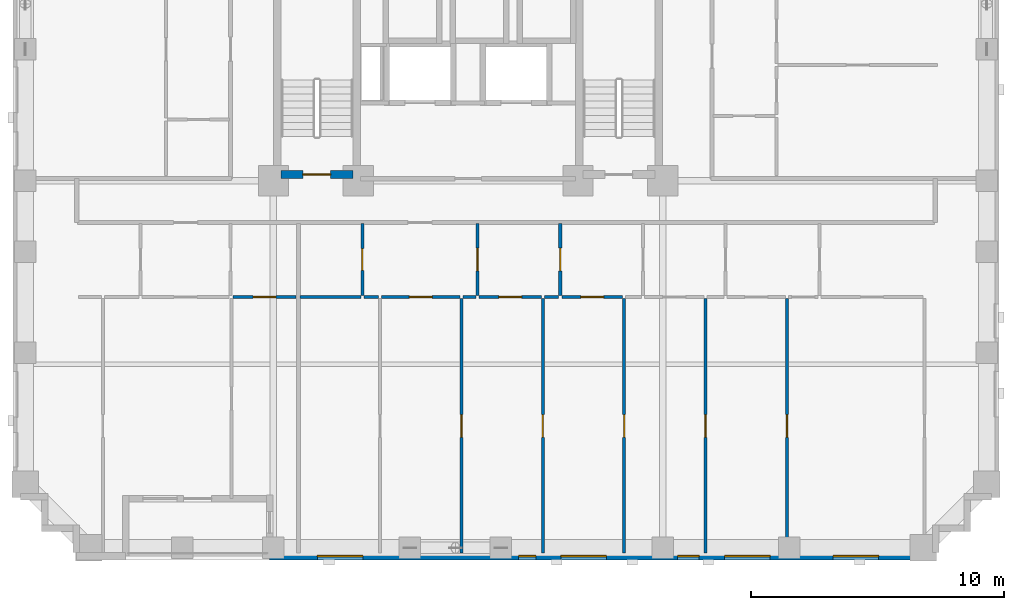
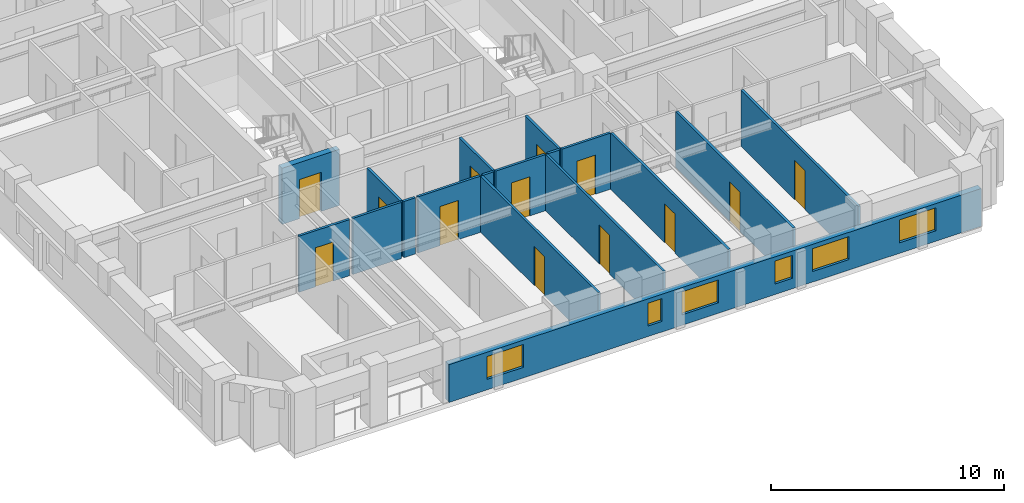
# One storey, part 3 of 14: 18 walls, 13 doors, 6 windows, 19 openings.
"""IFC4 building model written with IfcOpenShell, lengths in metres."""

from ifc_helpers import new_model, si_unit, derived_unit, direction, frame, frame_2d, origin, place, context, subcontext, project, spatial, rectangle, extrude, material, layer, layer_set, type_object, element, fill, save


model = new_model("IFC4")

# Units and contexts
model_context = context("Model", 3, precision=1e-05, world=origin(), true_north=direction((0.0, 1.0)))
body_context = subcontext(model_context, "Body", "Model", "MODEL_VIEW")
ifc_project = project(units=[si_unit("LENGTHUNIT", "METRE"), si_unit("AREAUNIT", "SQUARE_METRE"), si_unit("VOLUMEUNIT", "CUBIC_METRE"), si_unit("PLANEANGLEUNIT", "RADIAN"), si_unit("MASSUNIT", "GRAM", prefix="KILO"), derived_unit("THERMALTRANSMITTANCEUNIT", [(si_unit("MASSUNIT", "GRAM", prefix="KILO"), 1), (si_unit("TIMEUNIT", "SECOND"), -3), (si_unit("THERMODYNAMICTEMPERATUREUNIT", "KELVIN"), -1)])], contexts=[model_context])

# Site, building, storey
site_placement = place(None, origin())
site = spatial("IfcSite", under=ifc_project, at=site_placement, CompositionType="ELEMENT")
building_placement = place(site_placement, origin())
building = spatial("IfcBuilding", under=site, at=building_placement, Name="Korrvale Station Residences", CompositionType="ELEMENT")
storey_placement = place(building_placement, frame((0.0, 0.0, 61.0)))
storey = spatial("IfcBuildingStorey", under=building, at=storey_placement, Name="L16", CompositionType="ELEMENT", Elevation=61.0)

# Wall, opening, door
ifc_material_1 = material(Name="Concrete C70/85", Category="concrete")
ifc_layer_1 = layer(ifc_material_1, 0.300048828125, Name="Concrete C70/85")
ifc_layer_set_1 = layer_set([ifc_layer_1], Name="Concrete C70/85")
wall_type_1 = type_object("IfcWallType", Name="WAL-CORE-300-C70", PredefinedType="SHEAR", material=ifc_layer_set_1)
wall_1_placement = place(storey_placement, frame((18.10009765625, 15.25, 0.0), z_axis=(0.0, 0.0, 1.0), x_axis=(1.0, 0.0, 0.0)))
wall_1 = element("IfcWall", 1, at=wall_1_placement, inside=storey, type_object=wall_type_1, Name="L16 ST-1 Core Shear Wall South", PredefinedType="SHEAR", context=body_context, shape_type="SweptSolid", body=[
    extrude(rectangle(XDim=2.849853515625, YDim=0.300048828125, at=frame_2d((1.4248046875, 0.0))), origin(), (0.0, 0.0, 1.0), 2.93994140625),
])
opening_1_placement = place(wall_1_placement, frame((0.860107421875, 0.0, 0.0)))
opening_1 = element("IfcOpeningElement", 2, at=opening_1_placement, cuts=wall_1, Name="Opening SD-1100", PredefinedType="OPENING", context=body_context, shape_type="SweptSolid", body=[
    extrude(rectangle(XDim=1.10009765625, YDim=2.050048828125, at=frame_2d((0.550048828125, 1.02490234375))), frame((0.0, 0.16015625, 0.0), z_axis=(0.0, -1.0, 0.0), x_axis=(1.0, 0.0, 0.0)), (0.0, 0.0, 1.0), 0.320068359375),
])
ifc_material_2 = material(Name="Hollow-metal fire-rated stair door with closer", Category="steel")
door_type_1 = type_object("IfcDoorType", Name="DR-STAIR-1100", OperationType="NOTDEFINED", PredefinedType="DOOR", material=ifc_material_2)
door_1_placement = place(opening_1_placement, origin())
door_1 = element("IfcDoor", 3, at=door_1_placement, inside=storey, type_object=door_type_1, Name="L16 ST-1 Exit Stair Door", OperationType="SINGLE_SWING_LEFT", OverallHeight=2.050048828125, OverallWidth=1.10009765625, PredefinedType="DOOR", context=body_context, shape_type="SweptSolid", body=[
    extrude(rectangle(XDim=1.10009765625, YDim=2.050048828125, at=frame_2d((0.550048828125, 1.02490234375))), frame((0.0, 0.02490234375, 0.0), z_axis=(0.0, -1.0, 0.0), x_axis=(1.0, 0.0, 0.0)), (0.0, 0.0, 1.0), 0.050048828125),
])
fill(opening_1, door_1)

# Wall, openings, windows
ifc_material_3 = material(Name="Precast concrete C45/55", Category="concrete")
ifc_layer_2 = layer(ifc_material_3, 0.300048828125, Name="Precast concrete C45/55")
ifc_layer_set_2 = layer_set([ifc_layer_2], Name="Precast concrete C45/55")
wall_type_2 = type_object("IfcWallType", Name="WAL-EXT-PC300", PredefinedType="SOLIDWALL", material=ifc_layer_set_2)
wall_2_placement = place(storey_placement, frame((44.0, 0.14990234375, 0.0), z_axis=(0.0, 0.0, 1.0), x_axis=(-1.0, 0.0, 0.0)))
wall_2 = element("IfcWall", 4, at=wall_2_placement, inside=storey, type_object=wall_type_2, Name="L16 South Exterior Precast Wall 1", PredefinedType="SOLIDWALL", context=body_context, shape_type="SweptSolid", body=[
    extrude(rectangle(XDim=26.35009765625, YDim=0.300048828125, at=frame_2d((13.175048828125, 0.0))), origin(), (0.0, 0.0, 1.0), 1.97509765625),
])
opening_2_placement = place(wall_2_placement, frame((22.6650390625, 0.0, 0.550048828125)))
opening_2 = element("IfcOpeningElement", 5, at=opening_2_placement, cuts=wall_2, Name="Opening W-09", PredefinedType="OPENING", context=body_context, shape_type="SweptSolid", body=[
    extrude(rectangle(XDim=1.800048828125, YDim=1.199951171875, at=frame_2d((0.89990234375, 0.60009765625))), frame((0.0, 0.16015625, 0.0), z_axis=(0.0, -1.0, 0.0), x_axis=(1.0, 0.0, 0.0)), (0.0, 0.0, 1.0), 0.320068359375),
])
opening_3_placement = place(wall_2_placement, frame((15.820068359375, 0.0, 0.550048828125)))
opening_3 = element("IfcOpeningElement", 6, at=opening_3_placement, cuts=wall_2, Name="Opening W-12", PredefinedType="OPENING", context=body_context, shape_type="SweptSolid", body=[
    extrude(rectangle(XDim=0.679931640625, YDim=1.199951171875, at=frame_2d((0.33984375, 0.60009765625))), frame((0.0, 0.16015625, 0.0), z_axis=(0.0, -1.0, 0.0), x_axis=(1.0, 0.0, 0.0)), (0.0, 0.0, 1.0), 0.320068359375),
])
opening_4_placement = place(wall_2_placement, frame((13.027099609375, 0.0, 0.550048828125)))
opening_4 = element("IfcOpeningElement", 7, at=opening_4_placement, cuts=wall_2, Name="Opening W-09", PredefinedType="OPENING", context=body_context, shape_type="SweptSolid", body=[
    extrude(rectangle(XDim=1.800048828125, YDim=1.199951171875, at=frame_2d((0.89990234375, 0.60009765625))), frame((0.0, 0.16015625, 0.0), z_axis=(0.0, -1.0, 0.0), x_axis=(1.0, 0.0, 0.0)), (0.0, 0.0, 1.0), 0.320068359375),
])
opening_5_placement = place(wall_2_placement, frame((9.364990234375, 0.0, 0.550048828125)))
opening_5 = element("IfcOpeningElement", 8, at=opening_5_placement, cuts=wall_2, Name="Opening W-11", PredefinedType="OPENING", context=body_context, shape_type="SweptSolid", body=[
    extrude(rectangle(XDim=0.85009765625, YDim=1.199951171875, at=frame_2d((0.425048828125, 0.60009765625))), frame((0.0, 0.16015625, 0.0), z_axis=(0.0, -1.0, 0.0), x_axis=(1.0, 0.0, 0.0)), (0.0, 0.0, 1.0), 0.320068359375),
])
opening_6_placement = place(wall_2_placement, frame((6.552978515625, 0.0, 0.550048828125)))
opening_6 = element("IfcOpeningElement", 9, at=opening_6_placement, cuts=wall_2, Name="Opening W-09", PredefinedType="OPENING", context=body_context, shape_type="SweptSolid", body=[
    extrude(rectangle(XDim=1.800048828125, YDim=1.199951171875, at=frame_2d((0.89990234375, 0.60009765625))), frame((0.0, 0.16015625, 0.0), z_axis=(0.0, -1.0, 0.0), x_axis=(1.0, 0.0, 0.0)), (0.0, 0.0, 1.0), 0.320068359375),
])
opening_7_placement = place(wall_2_placement, frame((2.261962890625, 0.0, 0.550048828125)))
opening_7 = element("IfcOpeningElement", 10, at=opening_7_placement, cuts=wall_2, Name="Opening W-09", PredefinedType="OPENING", context=body_context, shape_type="SweptSolid", body=[
    extrude(rectangle(XDim=1.800048828125, YDim=1.199951171875, at=frame_2d((0.89990234375, 0.60009765625))), frame((0.0, 0.16015625, 0.0), z_axis=(0.0, -1.0, 0.0), x_axis=(1.0, 0.0, 0.0)), (0.0, 0.0, 1.0), 0.320068359375),
])
ifc_material_4 = material(Name="Thermally broken aluminium frame with triple low-e glazing", Category="aluminium")
window_type_1 = type_object("IfcWindowType", Name="WIN-W09", PartitioningType="DOUBLE_PANEL_VERTICAL", PredefinedType="WINDOW", material=ifc_material_4)
window_1_placement = place(opening_2_placement, origin())
window_1 = element("IfcWindow", 11, at=window_1_placement, inside=storey, type_object=window_type_1, Name="L16 Punched Window 05", OverallHeight=1.199951171875, OverallWidth=1.800048828125, PartitioningType="DOUBLE_PANEL_VERTICAL", PredefinedType="WINDOW", context=body_context, shape_type="SweptSolid", body=[
    extrude(rectangle(XDim=1.800048828125, YDim=1.199951171875, at=frame_2d((0.89990234375, 0.60009765625))), frame((0.0, 0.030029296875, 0.0), z_axis=(0.0, -1.0, 0.0), x_axis=(1.0, 0.0, 0.0)), (0.0, 0.0, 1.0), 0.06005859375),
])
fill(opening_2, window_1)
window_2_placement = place(opening_4_placement, origin())
window_2 = element("IfcWindow", 12, at=window_2_placement, inside=storey, type_object=window_type_1, Name="L16 Punched Window 07", OverallHeight=1.199951171875, OverallWidth=1.800048828125, PartitioningType="DOUBLE_PANEL_VERTICAL", PredefinedType="WINDOW", context=body_context, shape_type="SweptSolid", body=[
    extrude(rectangle(XDim=1.800048828125, YDim=1.199951171875, at=frame_2d((0.89990234375, 0.60009765625))), frame((0.0, 0.030029296875, 0.0), z_axis=(0.0, -1.0, 0.0), x_axis=(1.0, 0.0, 0.0)), (0.0, 0.0, 1.0), 0.06005859375),
])
fill(opening_4, window_2)
window_3_placement = place(opening_6_placement, origin())
window_3 = element("IfcWindow", 13, at=window_3_placement, inside=storey, type_object=window_type_1, Name="L16 Punched Window 09", OverallHeight=1.199951171875, OverallWidth=1.800048828125, PartitioningType="DOUBLE_PANEL_VERTICAL", PredefinedType="WINDOW", context=body_context, shape_type="SweptSolid", body=[
    extrude(rectangle(XDim=1.800048828125, YDim=1.199951171875, at=frame_2d((0.89990234375, 0.60009765625))), frame((0.0, 0.030029296875, 0.0), z_axis=(0.0, -1.0, 0.0), x_axis=(1.0, 0.0, 0.0)), (0.0, 0.0, 1.0), 0.06005859375),
])
fill(opening_6, window_3)
window_4_placement = place(opening_7_placement, origin())
window_4 = element("IfcWindow", 14, at=window_4_placement, inside=storey, type_object=window_type_1, Name="L16 Punched Window 10", OverallHeight=1.199951171875, OverallWidth=1.800048828125, PartitioningType="DOUBLE_PANEL_VERTICAL", PredefinedType="WINDOW", context=body_context, shape_type="SweptSolid", body=[
    extrude(rectangle(XDim=1.800048828125, YDim=1.199951171875, at=frame_2d((0.89990234375, 0.60009765625))), frame((0.0, 0.030029296875, 0.0), z_axis=(0.0, -1.0, 0.0), x_axis=(1.0, 0.0, 0.0)), (0.0, 0.0, 1.0), 0.06005859375),
])
fill(opening_7, window_4)
window_type_2 = type_object("IfcWindowType", Name="WIN-W11", PartitioningType="SINGLE_PANEL", PredefinedType="WINDOW", material=ifc_material_4)
window_5_placement = place(opening_5_placement, origin())
window_5 = element("IfcWindow", 15, at=window_5_placement, inside=storey, type_object=window_type_2, Name="L16 Punched Window 08", OverallHeight=1.199951171875, OverallWidth=0.85009765625, PartitioningType="SINGLE_PANEL", PredefinedType="WINDOW", context=body_context, shape_type="SweptSolid", body=[
    extrude(rectangle(XDim=0.85009765625, YDim=1.199951171875, at=frame_2d((0.425048828125, 0.60009765625))), frame((0.0, 0.030029296875, 0.0), z_axis=(0.0, -1.0, 0.0), x_axis=(1.0, 0.0, 0.0)), (0.0, 0.0, 1.0), 0.06005859375),
])
fill(opening_5, window_5)
window_type_3 = type_object("IfcWindowType", Name="WIN-W12", PartitioningType="SINGLE_PANEL", PredefinedType="WINDOW", material=ifc_material_4)
window_6_placement = place(opening_3_placement, origin())
window_6 = element("IfcWindow", 16, at=window_6_placement, inside=storey, type_object=window_type_3, Name="L16 Punched Window 06", OverallHeight=1.199951171875, OverallWidth=0.679931640625, PartitioningType="SINGLE_PANEL", PredefinedType="WINDOW", context=body_context, shape_type="SweptSolid", body=[
    extrude(rectangle(XDim=0.679931640625, YDim=1.199951171875, at=frame_2d((0.33984375, 0.60009765625))), frame((0.0, 0.030029296875, 0.0), z_axis=(0.0, -1.0, 0.0), x_axis=(1.0, 0.0, 0.0)), (0.0, 0.0, 1.0), 0.06005859375),
])
fill(opening_3, window_6)

# Wall, opening, door
ifc_material_5 = material(Name="Acoustic steel-stud gypsum board partition", Category="steel")
ifc_layer_3 = layer(ifc_material_5, 0.1201171875, Name="Acoustic steel-stud gypsum board partition")
ifc_layer_set_3 = layer_set([ifc_layer_3], Name="Acoustic steel-stud gypsum board partition")
wall_type_3 = type_object("IfcWallType", Name="WAL-PART-125", PredefinedType="PARTITIONING", material=ifc_layer_set_3)
wall_3_placement = place(storey_placement, frame((16.196044921875, 10.39990234375, 0.0), z_axis=(0.0, 0.0, 1.0), x_axis=(1.0, 0.0, 0.0)))
wall_3 = element("IfcWall", 17, at=wall_3_placement, inside=storey, type_object=wall_type_3, Name="L16 Suite Partition U01-H25", PredefinedType="PARTITIONING", context=body_context, shape_type="SweptSolid", body=[
    extrude(rectangle(XDim=2.5, YDim=0.1201171875, at=frame_2d((1.25, 0.0))), origin(), (0.0, 0.0, 1.0), 2.93994140625),
])
opening_8_placement = place(wall_3_placement, frame((0.800048828125, 0.0, 0.0)))
opening_8 = element("IfcOpeningElement", 18, at=opening_8_placement, cuts=wall_3, Name="Opening DI-900", PredefinedType="OPENING", context=body_context, shape_type="SweptSolid", body=[
    extrude(rectangle(XDim=0.89990234375, YDim=2.050048828125, at=frame_2d((0.449951171875, 1.02490234375))), frame((0.0, 0.070068359375, 0.0), z_axis=(0.0, -1.0, 0.0), x_axis=(1.0, 0.0, 0.0)), (0.0, 0.0, 1.0), 0.14013671875),
])
ifc_material_6 = material(Name="Painted solid-core timber interior room door", Category="wood")
door_type_2 = type_object("IfcDoorType", Name="DR-INT-900", OperationType="NOTDEFINED", PredefinedType="DOOR", material=ifc_material_6)
door_2_placement = place(opening_8_placement, origin())
door_2 = element("IfcDoor", 19, at=door_2_placement, inside=storey, type_object=door_type_2, Name="L16 Studio Apartment L16-U01 Utility and Laundry Room Door", OperationType="SINGLE_SWING_RIGHT", OverallHeight=2.050048828125, OverallWidth=0.89990234375, PredefinedType="DOOR", context=body_context, shape_type="SweptSolid", body=[
    extrude(rectangle(XDim=0.89990234375, YDim=2.050048828125, at=frame_2d((0.449951171875, 1.02490234375))), frame((0.0, 0.02490234375, 0.0), z_axis=(0.0, -1.0, 0.0), x_axis=(1.0, 0.0, 0.0)), (0.0, 0.0, 1.0), 0.050048828125),
])
fill(opening_8, door_2)

wall_4_placement = place(storey_placement, frame((21.31591796875, 10.4599609375, 0.0), z_axis=(0.0, 0.0, 1.0), x_axis=(0.0, 1.0, 0.0)))
wall_4 = element("IfcWall", 20, at=wall_4_placement, inside=storey, type_object=wall_type_3, Name="L16 Suite Partition U02-V01", PredefinedType="PARTITIONING", context=body_context, shape_type="SweptSolid", body=[
    extrude(rectangle(XDim=2.85009765625, YDim=0.1201171875, at=frame_2d((1.425048828125, 0.0))), origin(), (0.0, 0.0, 1.0), 2.93994140625),
])
opening_9_placement = place(wall_4_placement, frame((0.9951171875, 0.0, 0.0)))
opening_9 = element("IfcOpeningElement", 21, at=opening_9_placement, cuts=wall_4, Name="Opening DB-860", PredefinedType="OPENING", context=body_context, shape_type="SweptSolid", body=[
    extrude(rectangle(XDim=0.860107421875, YDim=2.050048828125, at=frame_2d((0.43017578125, 1.02490234375))), frame((0.0, 0.070068359375, 0.0), z_axis=(0.0, -1.0, 0.0), x_axis=(1.0, 0.0, 0.0)), (0.0, 0.0, 1.0), 0.14013671875),
])
ifc_material_7 = material(Name="Moisture-resistant solid-core bathroom door", Category="timber")
door_type_3 = type_object("IfcDoorType", Name="DR-BATH-860", OperationType="NOTDEFINED", PredefinedType="DOOR", material=ifc_material_7)
door_3_placement = place(opening_9_placement, origin())
door_3 = element("IfcDoor", 22, at=door_3_placement, inside=storey, type_object=door_type_3, Name="L16 Studio Apartment L16-U02 Bathroom Door", OperationType="SINGLE_SWING_LEFT", OverallHeight=2.050048828125, OverallWidth=0.860107421875, PredefinedType="DOOR", context=body_context, shape_type="SweptSolid", body=[
    extrude(rectangle(XDim=0.860107421875, YDim=2.050048828125, at=frame_2d((0.43017578125, 1.02490234375))), frame((0.0, 0.02490234375, 0.0), z_axis=(0.0, -1.0, 0.0), x_axis=(1.0, 0.0, 0.0)), (0.0, 0.0, 1.0), 0.050048828125),
])
fill(opening_9, door_3)

# Wall
wall_5_placement = place(storey_placement, frame((18.85595703125, 10.39990234375, 0.0), z_axis=(0.0, 0.0, 1.0), x_axis=(1.0, 0.0, 0.0)))
element("IfcWall", 23, at=wall_5_placement, inside=storey, type_object=wall_type_3, Name="L16 Suite Partition U02-H07", PredefinedType="PARTITIONING", context=body_context, shape_type="SweptSolid", body=[
    extrude(rectangle(XDim=2.400146484375, YDim=0.1201171875, at=frame_2d((1.2001953125, 0.0))), origin(), (0.0, 0.0, 1.0), 2.93994140625),
])

# Wall, opening, door
wall_6_placement = place(storey_placement, frame((25.8759765625, 10.4599609375, 0.0), z_axis=(0.0, 0.0, 1.0), x_axis=(0.0, 1.0, 0.0)))
wall_6 = element("IfcWall", 24, at=wall_6_placement, inside=storey, type_object=wall_type_3, Name="L16 Suite Partition U02-V12", PredefinedType="PARTITIONING", context=body_context, shape_type="SweptSolid", body=[
    extrude(rectangle(XDim=2.85009765625, YDim=0.1201171875, at=frame_2d((1.425048828125, 0.0))), origin(), (0.0, 0.0, 1.0), 2.93994140625),
])
opening_10_placement = place(wall_6_placement, frame((0.97509765625, 0.0, 0.0)))
opening_10 = element("IfcOpeningElement", 25, at=opening_10_placement, cuts=wall_6, Name="Opening DI-900", PredefinedType="OPENING", context=body_context, shape_type="SweptSolid", body=[
    extrude(rectangle(XDim=0.89990234375, YDim=2.050048828125, at=frame_2d((0.449951171875, 1.02490234375))), frame((0.0, 0.070068359375, 0.0), z_axis=(0.0, -1.0, 0.0), x_axis=(1.0, 0.0, 0.0)), (0.0, 0.0, 1.0), 0.14013671875),
])
door_4_placement = place(opening_10_placement, origin())
door_4 = element("IfcDoor", 26, at=door_4_placement, inside=storey, type_object=door_type_2, Name="L16 Studio Apartment L16-U02 Kitchen Door", OperationType="SINGLE_SWING_RIGHT", OverallHeight=2.050048828125, OverallWidth=0.89990234375, PredefinedType="DOOR", context=body_context, shape_type="SweptSolid", body=[
    extrude(rectangle(XDim=0.89990234375, YDim=2.050048828125, at=frame_2d((0.449951171875, 1.02490234375))), frame((0.0, 0.02490234375, 0.0), z_axis=(0.0, -1.0, 0.0), x_axis=(1.0, 0.0, 0.0)), (0.0, 0.0, 1.0), 0.050048828125),
])
fill(opening_10, door_4)

# Wall
wall_7_placement = place(storey_placement, frame((21.3759765625, 10.39990234375, 0.0), z_axis=(0.0, 0.0, 1.0), x_axis=(1.0, 0.0, 0.0)))
element("IfcWall", 27, at=wall_7_placement, inside=storey, type_object=wall_type_3, Name="L16 Suite Partition U02-H17", PredefinedType="PARTITIONING", context=body_context, shape_type="SweptSolid", body=[
    extrude(rectangle(XDim=0.580078125, YDim=0.1201171875, at=frame_2d((0.2900390625, 0.0))), origin(), (0.0, 0.0, 1.0), 2.93994140625),
])

# Wall, opening, door
wall_8_placement = place(storey_placement, frame((22.075927734375, 10.39990234375, 0.0), z_axis=(0.0, 0.0, 1.0), x_axis=(1.0, 0.0, 0.0)))
wall_8 = element("IfcWall", 28, at=wall_8_placement, inside=storey, type_object=wall_type_3, Name="L16 Suite Partition U02-H18", PredefinedType="PARTITIONING", context=body_context, shape_type="SweptSolid", body=[
    extrude(rectangle(XDim=3.10009765625, YDim=0.1201171875, at=frame_2d((1.550048828125, 0.0))), origin(), (0.0, 0.0, 1.0), 2.93994140625),
])
opening_11_placement = place(wall_8_placement, frame((1.10009765625, 0.0, 0.0)))
opening_11 = element("IfcOpeningElement", 29, at=opening_11_placement, cuts=wall_8, Name="Opening DI-900", PredefinedType="OPENING", context=body_context, shape_type="SweptSolid", body=[
    extrude(rectangle(XDim=0.89990234375, YDim=2.050048828125, at=frame_2d((0.449951171875, 1.02490234375))), frame((0.0, 0.070068359375, 0.0), z_axis=(0.0, -1.0, 0.0), x_axis=(1.0, 0.0, 0.0)), (0.0, 0.0, 1.0), 0.14013671875),
])
door_5_placement = place(opening_11_placement, origin())
door_5 = element("IfcDoor", 30, at=door_5_placement, inside=storey, type_object=door_type_2, Name="L16 Studio Apartment L16-U02 Kitchen Door", OperationType="SINGLE_SWING_LEFT", OverallHeight=2.050048828125, OverallWidth=0.89990234375, PredefinedType="DOOR", context=body_context, shape_type="SweptSolid", body=[
    extrude(rectangle(XDim=0.89990234375, YDim=2.050048828125, at=frame_2d((0.449951171875, 1.02490234375))), frame((0.0, 0.02490234375, 0.0), z_axis=(0.0, -1.0, 0.0), x_axis=(1.0, 0.0, 0.0)), (0.0, 0.0, 1.0), 0.050048828125),
])
fill(opening_11, door_5)

# Wall
wall_9_placement = place(storey_placement, frame((25.2958984375, 10.39990234375, 0.0), z_axis=(0.0, 0.0, 1.0), x_axis=(1.0, 0.0, 0.0)))
element("IfcWall", 31, at=wall_9_placement, inside=storey, type_object=wall_type_3, Name="L16 Suite Partition U02-H19", PredefinedType="PARTITIONING", context=body_context, shape_type="SweptSolid", body=[
    extrude(rectangle(XDim=0.52001953125, YDim=0.1201171875, at=frame_2d((0.260009765625, 0.0))), origin(), (0.0, 0.0, 1.0), 2.93994140625),
])

# Wall, opening, door
wall_10_placement = place(storey_placement, frame((29.14599609375, 10.4599609375, 0.0), z_axis=(0.0, 0.0, 1.0), x_axis=(0.0, 1.0, 0.0)))
wall_10 = element("IfcWall", 32, at=wall_10_placement, inside=storey, type_object=wall_type_3, Name="L16 Suite Partition U02-V23", PredefinedType="PARTITIONING", context=body_context, shape_type="SweptSolid", body=[
    extrude(rectangle(XDim=2.85009765625, YDim=0.1201171875, at=frame_2d((1.425048828125, 0.0))), origin(), (0.0, 0.0, 1.0), 2.93994140625),
])
opening_12_placement = place(wall_10_placement, frame((0.97509765625, 0.0, 0.0)))
opening_12 = element("IfcOpeningElement", 33, at=opening_12_placement, cuts=wall_10, Name="Opening DI-900", PredefinedType="OPENING", context=body_context, shape_type="SweptSolid", body=[
    extrude(rectangle(XDim=0.89990234375, YDim=2.050048828125, at=frame_2d((0.449951171875, 1.02490234375))), frame((0.0, 0.070068359375, 0.0), z_axis=(0.0, -1.0, 0.0), x_axis=(1.0, 0.0, 0.0)), (0.0, 0.0, 1.0), 0.14013671875),
])
door_6_placement = place(opening_12_placement, origin())
door_6 = element("IfcDoor", 34, at=door_6_placement, inside=storey, type_object=door_type_2, Name="L16 Studio Apartment L16-U02 Home Study Room Door", OperationType="SINGLE_SWING_RIGHT", OverallHeight=2.050048828125, OverallWidth=0.89990234375, PredefinedType="DOOR", context=body_context, shape_type="SweptSolid", body=[
    extrude(rectangle(XDim=0.89990234375, YDim=2.050048828125, at=frame_2d((0.449951171875, 1.02490234375))), frame((0.0, 0.02490234375, 0.0), z_axis=(0.0, -1.0, 0.0), x_axis=(1.0, 0.0, 0.0)), (0.0, 0.0, 1.0), 0.050048828125),
])
fill(opening_12, door_6)

wall_11_placement = place(storey_placement, frame((25.93603515625, 10.39990234375, 0.0), z_axis=(0.0, 0.0, 1.0), x_axis=(1.0, 0.0, 0.0)))
wall_11 = element("IfcWall", 35, at=wall_11_placement, inside=storey, type_object=wall_type_3, Name="L16 Suite Partition U02-H29", PredefinedType="PARTITIONING", context=body_context, shape_type="SweptSolid", body=[
    extrude(rectangle(XDim=2.4599609375, YDim=0.1201171875, at=frame_2d((1.22998046875, 0.0))), origin(), (0.0, 0.0, 1.0), 2.93994140625),
])
opening_13_placement = place(wall_11_placement, frame((0.780029296875, 0.0, 0.0)))
opening_13 = element("IfcOpeningElement", 36, at=opening_13_placement, cuts=wall_11, Name="Opening DI-900", PredefinedType="OPENING", context=body_context, shape_type="SweptSolid", body=[
    extrude(rectangle(XDim=0.89990234375, YDim=2.050048828125, at=frame_2d((0.449951171875, 1.02490234375))), frame((0.0, 0.070068359375, 0.0), z_axis=(0.0, -1.0, 0.0), x_axis=(1.0, 0.0, 0.0)), (0.0, 0.0, 1.0), 0.14013671875),
])
door_7_placement = place(opening_13_placement, origin())
door_7 = element("IfcDoor", 37, at=door_7_placement, inside=storey, type_object=door_type_2, Name="L16 Studio Apartment L16-U02 Home Study Room Door", OperationType="SINGLE_SWING_LEFT", OverallHeight=2.050048828125, OverallWidth=0.89990234375, PredefinedType="DOOR", context=body_context, shape_type="SweptSolid", body=[
    extrude(rectangle(XDim=0.89990234375, YDim=2.050048828125, at=frame_2d((0.449951171875, 1.02490234375))), frame((0.0, 0.02490234375, 0.0), z_axis=(0.0, -1.0, 0.0), x_axis=(1.0, 0.0, 0.0)), (0.0, 0.0, 1.0), 0.050048828125),
])
fill(opening_13, door_7)

# Wall
wall_12_placement = place(storey_placement, frame((28.51611328125, 10.39990234375, 0.0), z_axis=(0.0, 0.0, 1.0), x_axis=(1.0, 0.0, 0.0)))
element("IfcWall", 38, at=wall_12_placement, inside=storey, type_object=wall_type_3, Name="L16 Suite Partition U02-H210", PredefinedType="PARTITIONING", context=body_context, shape_type="SweptSolid", body=[
    extrude(rectangle(XDim=0.56982421875, YDim=0.1201171875, at=frame_2d((0.284912109375, 0.0))), origin(), (0.0, 0.0, 1.0), 2.93994140625),
])

# Wall, opening, door
wall_13_placement = place(storey_placement, frame((29.2060546875, 10.39990234375, 0.0), z_axis=(0.0, 0.0, 1.0), x_axis=(1.0, 0.0, 0.0)))
wall_13 = element("IfcWall", 39, at=wall_13_placement, inside=storey, type_object=wall_type_3, Name="L16 Suite Partition U02-H310", PredefinedType="PARTITIONING", context=body_context, shape_type="SweptSolid", body=[
    extrude(rectangle(XDim=2.409912109375, YDim=0.1201171875, at=frame_2d((1.205078125, 0.0))), origin(), (0.0, 0.0, 1.0), 2.93994140625),
])
opening_14_placement = place(wall_13_placement, frame((0.7548828125, 0.0, 0.0)))
opening_14 = element("IfcOpeningElement", 40, at=opening_14_placement, cuts=wall_13, Name="Opening DI-900", PredefinedType="OPENING", context=body_context, shape_type="SweptSolid", body=[
    extrude(rectangle(XDim=0.89990234375, YDim=2.050048828125, at=frame_2d((0.449951171875, 1.02490234375))), frame((0.0, 0.070068359375, 0.0), z_axis=(0.0, -1.0, 0.0), x_axis=(1.0, 0.0, 0.0)), (0.0, 0.0, 1.0), 0.14013671875),
])
door_8_placement = place(opening_14_placement, origin())
door_8 = element("IfcDoor", 41, at=door_8_placement, inside=storey, type_object=door_type_2, Name="L16 Studio Apartment L16-U02 Home Study Room Door", OperationType="SINGLE_SWING_LEFT", OverallHeight=2.050048828125, OverallWidth=0.89990234375, PredefinedType="DOOR", context=body_context, shape_type="SweptSolid", body=[
    extrude(rectangle(XDim=0.89990234375, YDim=2.050048828125, at=frame_2d((0.449951171875, 1.02490234375))), frame((0.0, 0.02490234375, 0.0), z_axis=(0.0, -1.0, 0.0), x_axis=(1.0, 0.0, 0.0)), (0.0, 0.0, 1.0), 0.050048828125),
])
fill(opening_14, door_8)

wall_14_placement = place(storey_placement, frame((25.236083984375, 0.280029296875, 0.0), z_axis=(0.0, 0.0, 1.0), x_axis=(0.0, 1.0, 0.0)))
wall_14 = element("IfcWall", 42, at=wall_14_placement, inside=storey, type_object=wall_type_3, Name="L16 Suite Partition U02-V89", PredefinedType="PARTITIONING", context=body_context, shape_type="SweptSolid", body=[
    extrude(rectangle(XDim=10.06005859375, YDim=0.1201171875, at=frame_2d((5.030029296875, 0.0))), origin(), (0.0, 0.0, 1.0), 2.93994140625),
])
opening_15_placement = place(wall_14_placement, frame((4.56494140625, 0.0, 0.0)))
opening_15 = element("IfcOpeningElement", 43, at=opening_15_placement, cuts=wall_14, Name="Opening DI-900", PredefinedType="OPENING", context=body_context, shape_type="SweptSolid", body=[
    extrude(rectangle(XDim=0.89990234375, YDim=2.050048828125, at=frame_2d((0.449951171875, 1.02490234375))), frame((0.0, 0.070068359375, 0.0), z_axis=(0.0, -1.0, 0.0), x_axis=(1.0, 0.0, 0.0)), (0.0, 0.0, 1.0), 0.14013671875),
])
door_9_placement = place(opening_15_placement, origin())
door_9 = element("IfcDoor", 44, at=door_9_placement, inside=storey, type_object=door_type_2, Name="L16 Studio Apartment L16-U02 Walk-In Wardrobe Door", OperationType="SINGLE_SWING_LEFT", OverallHeight=2.050048828125, OverallWidth=0.89990234375, PredefinedType="DOOR", context=body_context, shape_type="SweptSolid", body=[
    extrude(rectangle(XDim=0.89990234375, YDim=2.050048828125, at=frame_2d((0.449951171875, 1.02490234375))), frame((0.0, 0.02490234375, 0.0), z_axis=(0.0, -1.0, 0.0), x_axis=(1.0, 0.0, 0.0)), (0.0, 0.0, 1.0), 0.050048828125),
])
fill(opening_15, door_9)

wall_15_placement = place(storey_placement, frame((28.4560546875, 0.280029296875, 0.0), z_axis=(0.0, 0.0, 1.0), x_axis=(0.0, 1.0, 0.0)))
wall_15 = element("IfcWall", 45, at=wall_15_placement, inside=storey, type_object=wall_type_3, Name="L16 Suite Partition U02-V910", PredefinedType="PARTITIONING", context=body_context, shape_type="SweptSolid", body=[
    extrude(rectangle(XDim=10.06005859375, YDim=0.1201171875, at=frame_2d((5.030029296875, 0.0))), origin(), (0.0, 0.0, 1.0), 2.93994140625),
])
opening_16_placement = place(wall_15_placement, frame((4.56494140625, 0.0, 0.0)))
opening_16 = element("IfcOpeningElement", 46, at=opening_16_placement, cuts=wall_15, Name="Opening DI-900", PredefinedType="OPENING", context=body_context, shape_type="SweptSolid", body=[
    extrude(rectangle(XDim=0.89990234375, YDim=2.050048828125, at=frame_2d((0.449951171875, 1.02490234375))), frame((0.0, 0.070068359375, 0.0), z_axis=(0.0, -1.0, 0.0), x_axis=(1.0, 0.0, 0.0)), (0.0, 0.0, 1.0), 0.14013671875),
])
door_10_placement = place(opening_16_placement, origin())
door_10 = element("IfcDoor", 47, at=door_10_placement, inside=storey, type_object=door_type_2, Name="L16 Studio Apartment L16-U02 Walk-In Wardrobe Door", OperationType="SINGLE_SWING_RIGHT", OverallHeight=2.050048828125, OverallWidth=0.89990234375, PredefinedType="DOOR", context=body_context, shape_type="SweptSolid", body=[
    extrude(rectangle(XDim=0.89990234375, YDim=2.050048828125, at=frame_2d((0.449951171875, 1.02490234375))), frame((0.0, 0.02490234375, 0.0), z_axis=(0.0, -1.0, 0.0), x_axis=(1.0, 0.0, 0.0)), (0.0, 0.0, 1.0), 0.050048828125),
])
fill(opening_16, door_10)

wall_16_placement = place(storey_placement, frame((31.676025390625, 0.280029296875, 0.0), z_axis=(0.0, 0.0, 1.0), x_axis=(0.0, 1.0, 0.0)))
wall_16 = element("IfcWall", 48, at=wall_16_placement, inside=storey, type_object=wall_type_3, Name="L16 Suite Partition U02-V1011", PredefinedType="PARTITIONING", context=body_context, shape_type="SweptSolid", body=[
    extrude(rectangle(XDim=10.06005859375, YDim=0.1201171875, at=frame_2d((5.030029296875, 0.0))), origin(), (0.0, 0.0, 1.0), 2.93994140625),
])
opening_17_placement = place(wall_16_placement, frame((4.56494140625, 0.0, 0.0)))
opening_17 = element("IfcOpeningElement", 49, at=opening_17_placement, cuts=wall_16, Name="Opening DI-900", PredefinedType="OPENING", context=body_context, shape_type="SweptSolid", body=[
    extrude(rectangle(XDim=0.89990234375, YDim=2.050048828125, at=frame_2d((0.449951171875, 1.02490234375))), frame((0.0, 0.070068359375, 0.0), z_axis=(0.0, -1.0, 0.0), x_axis=(1.0, 0.0, 0.0)), (0.0, 0.0, 1.0), 0.14013671875),
])
door_11_placement = place(opening_17_placement, origin())
door_11 = element("IfcDoor", 50, at=door_11_placement, inside=storey, type_object=door_type_2, Name="L16 Studio Apartment L16-U02 Formal Dining Room Door", OperationType="SINGLE_SWING_LEFT", OverallHeight=2.050048828125, OverallWidth=0.89990234375, PredefinedType="DOOR", context=body_context, shape_type="SweptSolid", body=[
    extrude(rectangle(XDim=0.89990234375, YDim=2.050048828125, at=frame_2d((0.449951171875, 1.02490234375))), frame((0.0, 0.02490234375, 0.0), z_axis=(0.0, -1.0, 0.0), x_axis=(1.0, 0.0, 0.0)), (0.0, 0.0, 1.0), 0.050048828125),
])
fill(opening_17, door_11)

wall_17_placement = place(storey_placement, frame((34.89599609375, 0.280029296875, 0.0), z_axis=(0.0, 0.0, 1.0), x_axis=(0.0, 1.0, 0.0)))
wall_17 = element("IfcWall", 51, at=wall_17_placement, inside=storey, type_object=wall_type_3, Name="L16 Suite Partition U02-V1112", PredefinedType="PARTITIONING", context=body_context, shape_type="SweptSolid", body=[
    extrude(rectangle(XDim=10.06005859375, YDim=0.1201171875, at=frame_2d((5.030029296875, 0.0))), origin(), (0.0, 0.0, 1.0), 2.93994140625),
])
opening_18_placement = place(wall_17_placement, frame((4.56494140625, 0.0, 0.0)))
opening_18 = element("IfcOpeningElement", 52, at=opening_18_placement, cuts=wall_17, Name="Opening DI-900", PredefinedType="OPENING", context=body_context, shape_type="SweptSolid", body=[
    extrude(rectangle(XDim=0.89990234375, YDim=2.050048828125, at=frame_2d((0.449951171875, 1.02490234375))), frame((0.0, 0.070068359375, 0.0), z_axis=(0.0, -1.0, 0.0), x_axis=(1.0, 0.0, 0.0)), (0.0, 0.0, 1.0), 0.14013671875),
])
door_12_placement = place(opening_18_placement, origin())
door_12 = element("IfcDoor", 53, at=door_12_placement, inside=storey, type_object=door_type_2, Name="L16 Studio Apartment L16-U02 Walk-In Wardrobe Door", OperationType="SINGLE_SWING_RIGHT", OverallHeight=2.050048828125, OverallWidth=0.89990234375, PredefinedType="DOOR", context=body_context, shape_type="SweptSolid", body=[
    extrude(rectangle(XDim=0.89990234375, YDim=2.050048828125, at=frame_2d((0.449951171875, 1.02490234375))), frame((0.0, 0.02490234375, 0.0), z_axis=(0.0, -1.0, 0.0), x_axis=(1.0, 0.0, 0.0)), (0.0, 0.0, 1.0), 0.050048828125),
])
fill(opening_18, door_12)

wall_18_placement = place(storey_placement, frame((38.115966796875, 0.280029296875, 0.0), z_axis=(0.0, 0.0, 1.0), x_axis=(0.0, 1.0, 0.0)))
wall_18 = element("IfcWall", 54, at=wall_18_placement, inside=storey, type_object=wall_type_3, Name="L16 Suite Partition U02-V1213", PredefinedType="PARTITIONING", context=body_context, shape_type="SweptSolid", body=[
    extrude(rectangle(XDim=10.06005859375, YDim=0.1201171875, at=frame_2d((5.030029296875, 0.0))), origin(), (0.0, 0.0, 1.0), 2.93994140625),
])
opening_19_placement = place(wall_18_placement, frame((4.56494140625, 0.0, 0.0)))
opening_19 = element("IfcOpeningElement", 55, at=opening_19_placement, cuts=wall_18, Name="Opening DI-900", PredefinedType="OPENING", context=body_context, shape_type="SweptSolid", body=[
    extrude(rectangle(XDim=0.89990234375, YDim=2.050048828125, at=frame_2d((0.449951171875, 1.02490234375))), frame((0.0, 0.070068359375, 0.0), z_axis=(0.0, -1.0, 0.0), x_axis=(1.0, 0.0, 0.0)), (0.0, 0.0, 1.0), 0.14013671875),
])
door_13_placement = place(opening_19_placement, origin())
door_13 = element("IfcDoor", 56, at=door_13_placement, inside=storey, type_object=door_type_2, Name="L16 Studio Apartment L16-U02 Formal Dining Room Door", OperationType="SINGLE_SWING_LEFT", OverallHeight=2.050048828125, OverallWidth=0.89990234375, PredefinedType="DOOR", context=body_context, shape_type="SweptSolid", body=[
    extrude(rectangle(XDim=0.89990234375, YDim=2.050048828125, at=frame_2d((0.449951171875, 1.02490234375))), frame((0.0, 0.02490234375, 0.0), z_axis=(0.0, -1.0, 0.0), x_axis=(1.0, 0.0, 0.0)), (0.0, 0.0, 1.0), 0.050048828125),
])
fill(opening_19, door_13)

save(model, "model.ifc")
